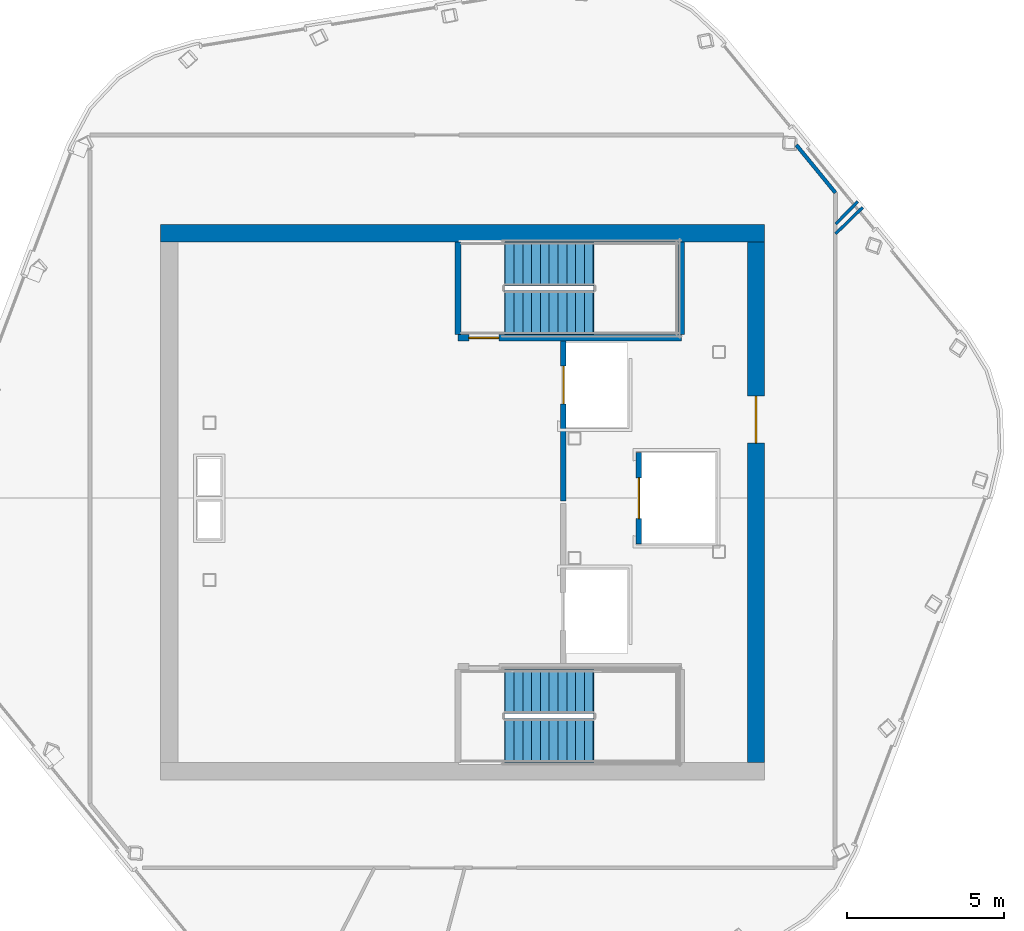
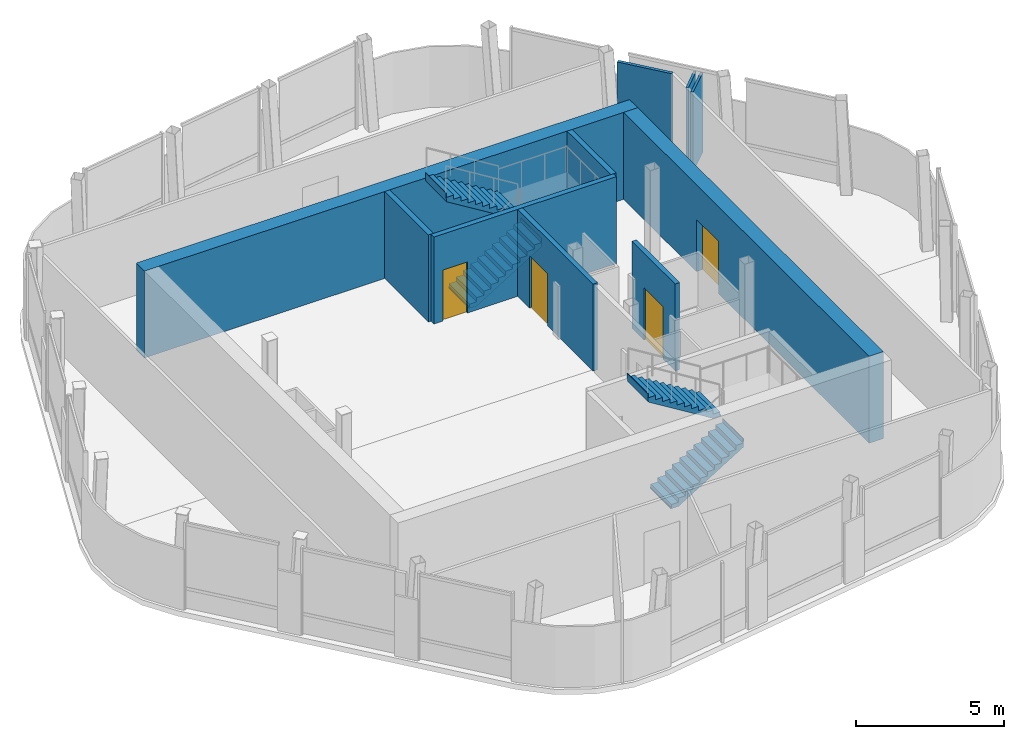
# One storey, part 5 of 8: 10 walls, 4 doors, 4 stair flights, 4 openings, 2 elements without a shape of their own.
"""IFC4 building model written with IfcOpenShell, lengths in metres."""

from ifc_helpers import new_model, si_unit, direction, frame, frame_2d, origin, place, context, subcontext, project, spatial, polyline, rectangle, outline, extrude, material, layer, layer_set, type_object, element, fill, aggregate, save


model = new_model("IFC4")

# Units and contexts
model_context = context("Model", 3, precision=1e-05, world=origin(), true_north=direction((0.0, 1.0)))
body_context = subcontext(model_context, "Body", "Model", "MODEL_VIEW")
ifc_project = project(units=[si_unit("LENGTHUNIT", "METRE"), si_unit("AREAUNIT", "SQUARE_METRE"), si_unit("VOLUMEUNIT", "CUBIC_METRE"), si_unit("PLANEANGLEUNIT", "RADIAN"), si_unit("MASSUNIT", "GRAM", prefix="KILO")], contexts=[model_context])

# Site, building, storey
site_placement = place(None, origin())
site = spatial("IfcSite", under=ifc_project, at=site_placement, CompositionType="ELEMENT")
building_placement = place(site_placement, origin())
building = spatial("IfcBuilding", under=site, at=building_placement, Name="Valkerne Bourse Tower", CompositionType="ELEMENT")
storey_placement = place(building_placement, frame((0.0, 0.0, 323.0)))
storey = spatial("IfcBuildingStorey", under=building, at=storey_placement, Name="L82", CompositionType="ELEMENT", Elevation=323.0)

# Wall
ifc_material_1 = material(Name="Concrete C55/67", Category="concrete")
ifc_layer_1 = layer(ifc_material_1, 0.550048828125)
ifc_layer_set_1 = layer_set([ifc_layer_1], Name="Concrete C55/67")
wall_type_1 = type_object("IfcWallType", Name="W-CORE-550", PredefinedType="SHEAR", material=ifc_layer_set_1)
wall_1_placement = place(storey_placement, frame((37.199951171875, 35.425048828125, 0.0), z_axis=(0.0, 0.0, 1.0), x_axis=(1.0, 0.0, 0.0)))
element("IfcWall", 1, at=wall_1_placement, inside=storey, type_object=wall_type_1, Name="L82 Core Shear Wall NORTH", PredefinedType="SHEAR", context=body_context, shape_type="SweptSolid", body=[
    extrude(rectangle(XDim=19.199951171875, YDim=0.550048828125, at=frame_2d((9.60009765625, 0.0))), origin(), (0.0, 0.0, 1.0), 3.580078125),
])

# Wall, opening, door
wall_2_placement = place(storey_placement, frame((56.125, 18.60009765625, 0.0), z_axis=(0.0, 0.0, 1.0), x_axis=(0.0, 1.0, 0.0)))
wall_2 = element("IfcWall", 2, at=wall_2_placement, inside=storey, type_object=wall_type_1, Name="L82 Core Shear Wall EAST", PredefinedType="SHEAR", context=body_context, shape_type="SweptSolid", body=[
    extrude(rectangle(XDim=16.5498046875, YDim=0.550048828125, at=frame_2d((8.27490234375, 0.0))), origin(), (0.0, 0.0, 1.0), 3.580078125),
])
opening_1_placement = place(wall_2_placement, frame((10.14990234375, 0.0, 0.0)))
opening_1 = element("IfcOpeningElement", 3, at=opening_1_placement, cuts=wall_2, Name="Opening D-CR-1500", PredefinedType="OPENING", context=body_context, shape_type="SweptSolid", body=[
    extrude(rectangle(XDim=1.5, YDim=2.14990234375, at=frame_2d((0.75, 1.074951171875))), frame((0.0, 0.284912109375, 0.0), z_axis=(0.0, -1.0, 0.0), x_axis=(1.0, 0.0, 0.0)), (0.0, 0.0, 1.0), 0.570068359375),
])
ifc_material_2 = material(Name="Galvanised Painted Steel", Category="steel")
door_type_1 = type_object("IfcDoorType", Name="DR-CORR-1500", OperationType="DOUBLE_DOOR_SINGLE_SWING", PredefinedType="DOOR", material=ifc_material_2)
door_1_placement = place(opening_1_placement, origin())
door_1 = element("IfcDoor", 4, at=door_1_placement, inside=storey, type_object=door_type_1, Name="L82 East Core Service Lobby Fire Door", OperationType="DOUBLE_DOOR_SINGLE_SWING", OverallHeight=2.14990234375, OverallWidth=1.5, PredefinedType="DOOR", context=body_context, shape_type="SweptSolid", body=[
    extrude(rectangle(XDim=1.5, YDim=2.14990234375, at=frame_2d((0.75, 1.074951171875))), frame((0.0, 0.02490234375, 0.0), z_axis=(0.0, -1.0, 0.0), x_axis=(1.0, 0.0, 0.0)), (0.0, 0.0, 1.0), 0.050048828125),
])
fill(opening_1, door_1)

# Wall
ifc_material_3 = material(Name="Gypsum Board Steel-Stud Partition", Category="steel")
ifc_layer_2 = layer(ifc_material_3, 0.117919921875)
ifc_layer_set_2 = layer_set([ifc_layer_2], Name="Gypsum Board Steel-Stud Partition")
wall_type_2 = type_object("IfcWallType", Name="W-CORR-140", PredefinedType="PARTITIONING", material=ifc_layer_set_2)
wall_3_placement = place(storey_placement, frame((57.405517578125, 38.23291015625, 0.0), z_axis=(0.0, 0.0, 1.0), x_axis=(0.633339282083, -0.773874249326, 0.0)))
element("IfcWall", 5, at=wall_3_placement, inside=storey, type_object=wall_type_2, Name="L82 Corridor Enclosure Wall", PredefinedType="PARTITIONING", context=body_context, shape_type="SweptSolid", body=[
    extrude(rectangle(XDim=1.96484375, YDim=0.117919921875, at=frame_2d((0.982421875, 0.0))), origin(), (0.0, 0.0, 1.0), 3.280029296875),
])

# Wall, opening, door
ifc_material_4 = material(Name="Gypsum Fire-Rated Shaftwall", Category="gypsum")
ifc_layer_3 = layer(ifc_material_4, 0.179931640625)
ifc_layer_set_3 = layer_set([ifc_layer_3], Name="Gypsum Fire-Rated Shaftwall")
wall_type_3 = type_object("IfcWallType", Name="W-FSAE-180", PredefinedType="PARTITIONING", material=ifc_layer_set_3)
wall_4_placement = place(storey_placement, frame((50.0, 26.919921875, 0.0), z_axis=(0.0, 0.0, 1.0), x_axis=(0.0, 1.0, 0.0)))
wall_4 = element("IfcWall", 6, at=wall_4_placement, inside=storey, type_object=wall_type_3, Name="L82 FSAE-2 Lobby & Shaft Front Wall", PredefinedType="PARTITIONING", context=body_context, shape_type="SweptSolid", body=[
    extrude(rectangle(XDim=5.080078125, YDim=0.179931640625, at=frame_2d((2.5400390625, 0.0))), origin(), (0.0, 0.0, 1.0), 3.580078125),
])
opening_2_placement = place(wall_4_placement, frame((3.080078125, 0.0, 0.0)))
opening_2 = element("IfcOpeningElement", 7, at=opening_2_placement, cuts=wall_4, Name="Opening LD-1200", PredefinedType="OPENING", context=body_context, shape_type="SweptSolid", body=[
    extrude(rectangle(XDim=1.199951171875, YDim=2.14990234375, at=frame_2d((0.60009765625, 1.074951171875))), frame((0.0, 0.099853515625, 0.0), z_axis=(0.0, -1.0, 0.0), x_axis=(1.0, 0.0, 0.0)), (0.0, 0.0, 1.0), 0.199951171875),
])
ifc_material_5 = material(Name="Stainless Steel AISI 316", Category="steel")
door_type_2 = type_object("IfcDoorType", Name="DR-LIFT-1200", OperationType="DOUBLE_DOOR_SLIDING", PredefinedType="DOOR", material=ifc_material_5)
door_2_placement = place(opening_2_placement, origin())
door_2 = element("IfcDoor", 8, at=door_2_placement, inside=storey, type_object=door_type_2, Name="L82 FSAE-2 Firefighting Lift Landing Door", OperationType="DOUBLE_DOOR_SLIDING", OverallHeight=2.14990234375, OverallWidth=1.199951171875, PredefinedType="DOOR", context=body_context, shape_type="SweptSolid", body=[
    extrude(rectangle(XDim=1.199951171875, YDim=2.14990234375, at=frame_2d((0.60009765625, 1.074951171875))), frame((0.0, 0.02490234375, 0.0), z_axis=(0.0, -1.0, 0.0), x_axis=(1.0, 0.0, 0.0)), (0.0, 0.0, 1.0), 0.050048828125),
])
fill(opening_2, door_2)

ifc_material_6 = material(Name="CMU Blockwork Masonry 200mm", Category="masonry")
ifc_layer_4 = layer(ifc_material_6, 0.179931640625)
ifc_layer_set_4 = layer_set([ifc_layer_4], Name="CMU Blockwork Masonry 200mm")
wall_type_4 = type_object("IfcWallType", Name="W-LFT-180", PredefinedType="SOLIDWALL", material=ifc_layer_set_4)
wall_5_placement = place(storey_placement, frame((52.39990234375, 25.550048828125, 0.0), z_axis=(0.0, 0.0, 1.0), x_axis=(0.0, 1.0, 0.0)))
wall_5 = element("IfcWall", 9, at=wall_5_placement, inside=storey, type_object=wall_type_4, Name="L82 Service Lift SV-1 Front Wall", PredefinedType="SOLIDWALL", context=body_context, shape_type="SweptSolid", body=[
    extrude(rectangle(XDim=2.89990234375, YDim=0.179931640625, at=frame_2d((1.449951171875, 0.0))), origin(), (0.0, 0.0, 1.0), 3.580078125),
])
opening_3_placement = place(wall_5_placement, frame((0.800048828125, 0.0, 0.0)))
opening_3 = element("IfcOpeningElement", 10, at=opening_3_placement, cuts=wall_5, Name="Opening LD-1300", PredefinedType="OPENING", context=body_context, shape_type="SweptSolid", body=[
    extrude(rectangle(XDim=1.300048828125, YDim=2.14990234375, at=frame_2d((0.64990234375, 1.074951171875))), frame((0.0, 0.099853515625, 0.0), z_axis=(0.0, -1.0, 0.0), x_axis=(1.0, 0.0, 0.0)), (0.0, 0.0, 1.0), 0.199951171875),
])
door_type_3 = type_object("IfcDoorType", Name="DR-LIFT-1300", OperationType="DOUBLE_DOOR_SLIDING", PredefinedType="DOOR", material=ifc_material_5)
door_3_placement = place(opening_3_placement, origin())
door_3 = element("IfcDoor", 11, at=door_3_placement, inside=storey, type_object=door_type_3, Name="L82 Service Lift SV-1 Landing Door", OperationType="DOUBLE_DOOR_SLIDING", OverallHeight=2.14990234375, OverallWidth=1.300048828125, PredefinedType="DOOR", context=body_context, shape_type="SweptSolid", body=[
    extrude(rectangle(XDim=1.300048828125, YDim=2.14990234375, at=frame_2d((0.64990234375, 1.074951171875))), frame((0.0, 0.02490234375, 0.0), z_axis=(0.0, -1.0, 0.0), x_axis=(1.0, 0.0, 0.0)), (0.0, 0.0, 1.0), 0.050048828125),
])
fill(opening_3, door_3)

# Walls
ifc_layer_5 = layer(ifc_material_3, 0.092041015625)
ifc_layer_set_5 = layer_set([ifc_layer_5], Name="Gypsum Board Steel-Stud Partition")
wall_type_5 = type_object("IfcWallType", Name="W-PART-115", PredefinedType="PARTITIONING", material=ifc_layer_set_5)
wall_6_placement = place(storey_placement, frame((58.655029296875, 35.40869140625, 0.0), z_axis=(0.0, 0.0, 1.0), x_axis=(0.717238575, 0.696827687834, 0.0)))
element("IfcWall", 12, at=wall_6_placement, inside=storey, type_object=wall_type_5, Name="L82 Suite Partition P01", PredefinedType="PARTITIONING", context=body_context, shape_type="SweptSolid", body=[
    extrude(rectangle(XDim=1.196044921875, YDim=0.092041015625, at=frame_2d((0.59814453125, 0.0))), origin(), (0.0, 0.0, 1.0), 3.280029296875),
])
wall_7_placement = place(storey_placement, frame((58.655029296875, 35.71826171875, 0.0), z_axis=(0.0, 0.0, 1.0), x_axis=(0.704541505853, 0.709662783673, 0.0)))
element("IfcWall", 13, at=wall_7_placement, inside=storey, type_object=wall_type_5, Name="L82 Suite Partition P04", PredefinedType="PARTITIONING", context=body_context, shape_type="SweptSolid", body=[
    extrude(rectangle(XDim=1.001220703125, YDim=0.092041015625, at=frame_2d((0.50048828125, 0.0))), origin(), (0.0, 0.0, 1.0), 3.280029296875),
])

# Wall, opening, door
ifc_material_7 = material(Name="Concrete C40/50", Category="concrete")
ifc_layer_6 = layer(ifc_material_7, 0.199951171875)
ifc_layer_set_6 = layer_set([ifc_layer_6], Name="Concrete C40/50")
wall_type_6 = type_object("IfcWallType", Name="W-SHF-200", PredefinedType="SHEAR", material=ifc_layer_set_6)
wall_8_placement = place(storey_placement, frame((46.64990234375, 32.10009765625, 0.0), z_axis=(0.0, 0.0, 1.0), x_axis=(1.0, 0.0, 0.0)))
wall_8 = element("IfcWall", 14, at=wall_8_placement, inside=storey, type_object=wall_type_6, Name="L82 Exit Stair ST-2 Structural Shaft Wall South", PredefinedType="SHEAR", context=body_context, shape_type="SweptSolid", body=[
    extrude(rectangle(XDim=7.10009765625, YDim=0.199951171875, at=frame_2d((3.550048828125, 0.0))), origin(), (0.0, 0.0, 1.0), 3.580078125),
])
opening_4_placement = place(wall_8_placement, frame((0.35009765625, 0.0, 0.0)))
opening_4 = element("IfcOpeningElement", 15, at=opening_4_placement, cuts=wall_8, Name="Opening D-ST-950", PredefinedType="OPENING", context=body_context, shape_type="SweptSolid", body=[
    extrude(rectangle(XDim=0.949951171875, YDim=2.10009765625, at=frame_2d((0.47509765625, 1.050048828125))), frame((0.0, 0.10986328125, 0.0), z_axis=(0.0, -1.0, 0.0), x_axis=(1.0, 0.0, 0.0)), (0.0, 0.0, 1.0), 0.219970703125),
])
door_type_4 = type_object("IfcDoorType", Name="DR-STAIR-950", OperationType="NOTDEFINED", PredefinedType="DOOR", material=ifc_material_2)
door_4_placement = place(opening_4_placement, origin())
door_4 = element("IfcDoor", 16, at=door_4_placement, inside=storey, type_object=door_type_4, Name="L82 Exit Stair ST-2 Door", OperationType="SINGLE_SWING_LEFT", OverallHeight=2.10009765625, OverallWidth=0.949951171875, PredefinedType="DOOR", context=body_context, shape_type="SweptSolid", body=[
    extrude(rectangle(XDim=0.949951171875, YDim=2.10009765625, at=frame_2d((0.47509765625, 1.050048828125))), frame((0.0, 0.02490234375, 0.0), z_axis=(0.0, -1.0, 0.0), x_axis=(1.0, 0.0, 0.0)), (0.0, 0.0, 1.0), 0.050048828125),
])
fill(opening_4, door_4)

# Walls
for number, where, z_axis, x_axis, name in (
    (17, (46.64990234375, 32.199951171875, 0.0), (0.0, 0.0, 1.0), (0.0, 1.0, 0.0), "L82 Exit Stair ST-2 Structural Shaft Wall West"),
    (18, (53.75, 32.199951171875, 0.0), (0.0, 0.0, 1.0), (0.0, 1.0, 0.0), "L82 Exit Stair ST-2 Structural Shaft Wall East"),
):
    element("IfcWall", number, at=place(storey_placement, frame(where, z_axis=z_axis, x_axis=x_axis)), inside=storey, type_object=wall_type_6, Name=name, PredefinedType="SHEAR", context=body_context, shape_type="SweptSolid", body=[
        extrude(rectangle(XDim=2.949951171875, YDim=0.199951171875, at=frame_2d((1.47509765625, 0.0))), origin(), (0.0, 0.0, 1.0), 3.580078125),
    ])

# Stair, stair flights
stair_type = type_object("IfcStairType", Name="ST-CORE-1400", PredefinedType="HALF_TURN_STAIR", material=ifc_material_7)
stair_1_placement = place(storey_placement, origin())
stair_1 = element("IfcStair", 19, at=stair_1_placement, inside=storey, type_object=stair_type, Name="L82 ST-1", PredefinedType="HALF_TURN_STAIR")
stair_flight_type = type_object("IfcStairFlightType", Name="STF-CORE-1400", PredefinedType="STRAIGHT", material=ifc_material_7)
stair_flight_1_placement = place(storey_placement, frame((48.14990234375, 19.300048828125, 0.0), z_axis=(0.0, 0.0, 1.0), x_axis=(1.0, 0.0, 0.0)))
stair_flight_1 = element("IfcStairFlight", 20, at=stair_flight_1_placement, type_object=stair_flight_type, Name="ST-1 flight 1", NumberOfRisers=11, NumberOfTreads=10, PredefinedType="STRAIGHT", RiserHeight=0.172727273, TreadLength=0.28, context=body_context, shape_type="SweptSolid", body=[
    extrude(outline(polyline([(-0.02001953125, 0.0), (-0.02001953125, 0.044921875), (0.0, 0.044921875), (0.0, 0.172607421875), (0.280029296875, 0.172607421875), (0.280029296875, 0.345458984375), (0.56005859375, 0.345458984375), (0.56005859375, 0.51806640625), (0.840087890625, 0.51806640625), (0.840087890625, 0.69091796875), (1.1201171875, 0.69091796875), (1.1201171875, 0.863525390625), (1.39990234375, 0.863525390625), (1.39990234375, 1.036376953125), (1.679931640625, 1.036376953125), (1.679931640625, 1.208984375), (1.9599609375, 1.208984375), (1.9599609375, 1.3818359375), (2.239990234375, 1.3818359375), (2.239990234375, 1.554443359375), (2.52001953125, 1.554443359375), (2.52001953125, 1.727294921875), (2.800048828125, 1.727294921875), (2.800048828125, 1.89990234375), (2.820068359375, 1.89990234375), (2.820068359375, 1.780029296875), (2.800048828125, 1.551025390625), (0.285400390625, 0.0), (-0.02001953125, 0.0)])), frame((0.0, 0.699951171875, 0.0), z_axis=(0.0, -1.0, 0.0), x_axis=(1.0, 0.0, 0.0)), (0.0, 0.0, 1.0), 1.39990234375),
])
stair_flight_2_placement = place(storey_placement, frame((50.949951171875, 20.85009765625, 1.89990234375), z_axis=(0.0, 0.0, 1.0), x_axis=(-1.0, 0.0, 0.0)))
stair_flight_2 = element("IfcStairFlight", 21, at=stair_flight_2_placement, type_object=stair_flight_type, Name="ST-1 flight 2", NumberOfRisers=11, NumberOfTreads=10, PredefinedType="STRAIGHT", RiserHeight=0.172727273, TreadLength=0.28, context=body_context, shape_type="SweptSolid", body=[
    extrude(outline(polyline([(-0.02001953125, 0.0), (-0.02001953125, 0.044921875), (0.0, 0.044921875), (0.0, 0.172607421875), (0.280029296875, 0.172607421875), (0.280029296875, 0.345458984375), (0.56005859375, 0.345458984375), (0.56005859375, 0.51806640625), (0.840087890625, 0.51806640625), (0.840087890625, 0.69091796875), (1.1201171875, 0.69091796875), (1.1201171875, 0.863525390625), (1.39990234375, 0.863525390625), (1.39990234375, 1.036376953125), (1.679931640625, 1.036376953125), (1.679931640625, 1.208984375), (1.9599609375, 1.208984375), (1.9599609375, 1.3818359375), (2.239990234375, 1.3818359375), (2.239990234375, 1.554443359375), (2.52001953125, 1.554443359375), (2.52001953125, 1.727294921875), (2.800048828125, 1.727294921875), (2.800048828125, 1.89990234375), (2.820068359375, 1.89990234375), (2.820068359375, 1.780029296875), (2.800048828125, 1.551025390625), (0.285400390625, 0.0), (-0.02001953125, 0.0)])), frame((0.0, 0.699951171875, 0.0), z_axis=(0.0, -1.0, 0.0), x_axis=(1.0, 0.0, 0.0)), (0.0, 0.0, 1.0), 1.39990234375),
])
aggregate(stair_1, [stair_flight_1, stair_flight_2])

stair_2_placement = place(storey_placement, origin())
stair_2 = element("IfcStair", 22, at=stair_2_placement, inside=storey, type_object=stair_type, Name="L82 ST-2", PredefinedType="HALF_TURN_STAIR")
stair_flight_3_placement = place(storey_placement, frame((48.14990234375, 32.89990234375, 0.0), z_axis=(0.0, 0.0, 1.0), x_axis=(1.0, 0.0, 0.0)))
stair_flight_3 = element("IfcStairFlight", 23, at=stair_flight_3_placement, type_object=stair_flight_type, Name="ST-2 flight 1", NumberOfRisers=11, NumberOfTreads=10, PredefinedType="STRAIGHT", RiserHeight=0.172727273, TreadLength=0.28, context=body_context, shape_type="SweptSolid", body=[
    extrude(outline(polyline([(-0.02001953125, 0.0), (-0.02001953125, 0.044921875), (0.0, 0.044921875), (0.0, 0.172607421875), (0.280029296875, 0.172607421875), (0.280029296875, 0.345458984375), (0.56005859375, 0.345458984375), (0.56005859375, 0.51806640625), (0.840087890625, 0.51806640625), (0.840087890625, 0.69091796875), (1.1201171875, 0.69091796875), (1.1201171875, 0.863525390625), (1.39990234375, 0.863525390625), (1.39990234375, 1.036376953125), (1.679931640625, 1.036376953125), (1.679931640625, 1.208984375), (1.9599609375, 1.208984375), (1.9599609375, 1.3818359375), (2.239990234375, 1.3818359375), (2.239990234375, 1.554443359375), (2.52001953125, 1.554443359375), (2.52001953125, 1.727294921875), (2.800048828125, 1.727294921875), (2.800048828125, 1.89990234375), (2.820068359375, 1.89990234375), (2.820068359375, 1.780029296875), (2.800048828125, 1.551025390625), (0.285400390625, 0.0), (-0.02001953125, 0.0)])), frame((0.0, 0.699951171875, 0.0), z_axis=(0.0, -1.0, 0.0), x_axis=(1.0, 0.0, 0.0)), (0.0, 0.0, 1.0), 1.39990234375),
])
stair_flight_4_placement = place(storey_placement, frame((50.949951171875, 34.449951171875, 1.89990234375), z_axis=(0.0, 0.0, 1.0), x_axis=(-1.0, 0.0, 0.0)))
stair_flight_4 = element("IfcStairFlight", 24, at=stair_flight_4_placement, type_object=stair_flight_type, Name="ST-2 flight 2", NumberOfRisers=11, NumberOfTreads=10, PredefinedType="STRAIGHT", RiserHeight=0.172727273, TreadLength=0.28, context=body_context, shape_type="SweptSolid", body=[
    extrude(outline(polyline([(-0.02001953125, 0.0), (-0.02001953125, 0.044921875), (0.0, 0.044921875), (0.0, 0.172607421875), (0.280029296875, 0.172607421875), (0.280029296875, 0.345458984375), (0.56005859375, 0.345458984375), (0.56005859375, 0.51806640625), (0.840087890625, 0.51806640625), (0.840087890625, 0.69091796875), (1.1201171875, 0.69091796875), (1.1201171875, 0.863525390625), (1.39990234375, 0.863525390625), (1.39990234375, 1.036376953125), (1.679931640625, 1.036376953125), (1.679931640625, 1.208984375), (1.9599609375, 1.208984375), (1.9599609375, 1.3818359375), (2.239990234375, 1.3818359375), (2.239990234375, 1.554443359375), (2.52001953125, 1.554443359375), (2.52001953125, 1.727294921875), (2.800048828125, 1.727294921875), (2.800048828125, 1.89990234375), (2.820068359375, 1.89990234375), (2.820068359375, 1.780029296875), (2.800048828125, 1.551025390625), (0.285400390625, 0.0), (-0.02001953125, 0.0)])), frame((0.0, 0.699951171875, 0.0), z_axis=(0.0, -1.0, 0.0), x_axis=(1.0, 0.0, 0.0)), (0.0, 0.0, 1.0), 1.39990234375),
])
aggregate(stair_2, [stair_flight_3, stair_flight_4])

save(model, "model.ifc")
